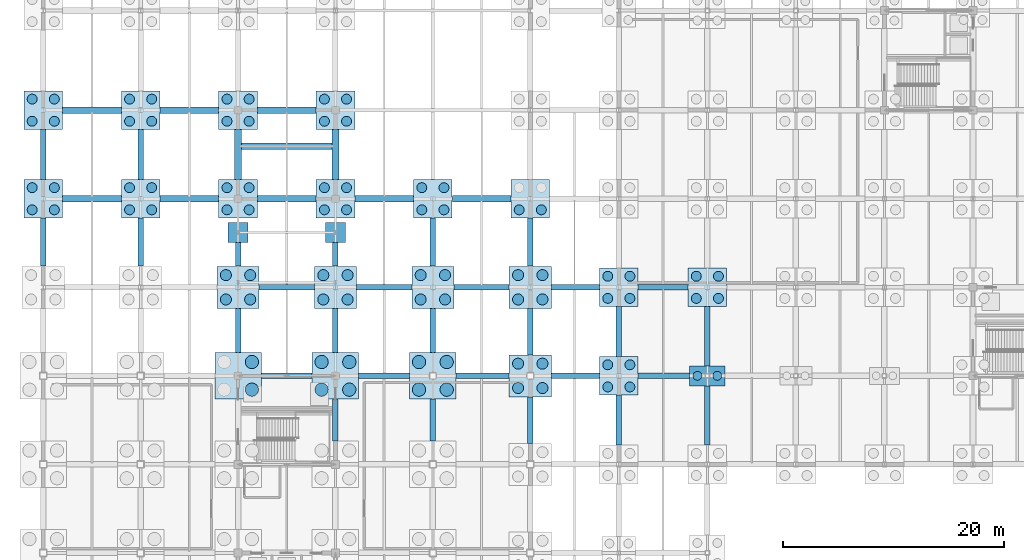
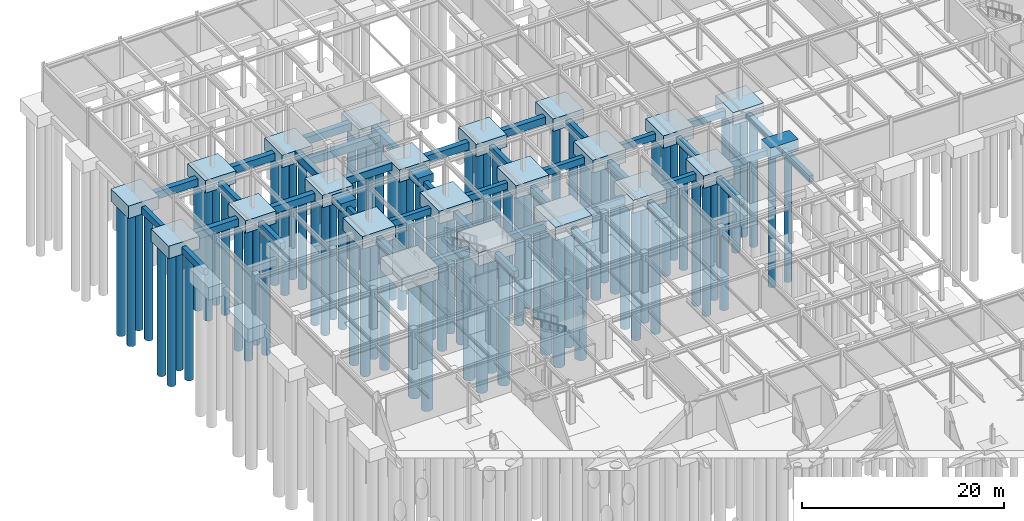
# One storey, part 6 of 72: 82 piles, 64 footings.
"""IFC4 building model written with IfcOpenShell, lengths in metres."""

from ifc_helpers import new_model, si_unit, direction, frame, origin, origin_2d, place, context, subcontext, project, spatial, rectangle, circle, extrude, material, material_profile, profile_set, type_object, element, save


model = new_model("IFC4")

# Units and contexts
model_context = context("Model", 3, precision=1e-05, world=origin(), true_north=direction((0.0, 1.0)))
body_context = subcontext(model_context, "Body", "Model", "MODEL_VIEW")
ifc_project = project(units=[si_unit("LENGTHUNIT", "METRE"), si_unit("AREAUNIT", "SQUARE_METRE"), si_unit("VOLUMEUNIT", "CUBIC_METRE"), si_unit("PLANEANGLEUNIT", "RADIAN"), si_unit("MASSUNIT", "GRAM", prefix="KILO")], contexts=[model_context])

# Site, building, storey
site_placement = place(None, origin())
site = spatial("IfcSite", under=ifc_project, at=site_placement, CompositionType="ELEMENT")
building_placement = place(site_placement, origin())
building = spatial("IfcBuilding", under=site, at=building_placement, Name="Zhaolan Boulevard Law Courts", CompositionType="ELEMENT")
storey_placement = place(building_placement, frame((0.0, 0.0, -4.800048828125)))
storey = spatial("IfcBuildingStorey", under=building, at=storey_placement, Name="B1", CompositionType="ELEMENT", Elevation=-4.800048828125)

# Piles
ifc_material_1 = material(Name="Concrete C40", Category="concrete")
ifc_material_profile_1 = material_profile(ifc_material_1, circle(Radius=0.5, at=origin_2d()), Name="PILE-D1000")
ifc_profile_set_1 = profile_set([ifc_material_profile_1], Name="Concrete C40")
pile_type_1 = type_object("IfcPileType", Name="BORED PILE D1000", PredefinedType="BORED", material=ifc_profile_set_1)
for number, where, z_axis, x_axis, name in (
    (1, (16.5, 76.89990234375, -1.449951171875), (0.0, 0.0, -1.0), (1.0, 0.0, 0.0), "Bored Pile P-3L-1"),
    (2, (18.699951171875, 76.89990234375, -1.449951171875), (0.0, 0.0, -1.0), (1.0, 0.0, 0.0), "Bored Pile P-3L-2"),
    (3, (16.5, 79.10009765625, -1.449951171875), (0.0, 0.0, -1.0), (1.0, 0.0, 0.0), "Bored Pile P-3L-3"),
    (4, (18.699951171875, 79.10009765625, -1.449951171875), (0.0, 0.0, -1.0), (1.0, 0.0, 0.0), "Bored Pile P-3L-4"),
    (5, (25.300048828125, 76.89990234375, -1.449951171875), (0.0, 0.0, -1.0), (1.0, 0.0, 0.0), "Bored Pile P-4L-1"),
    (6, (27.5, 76.89990234375, -1.449951171875), (0.0, 0.0, -1.0), (1.0, 0.0, 0.0), "Bored Pile P-4L-2"),
    (7, (25.300048828125, 79.10009765625, -1.449951171875), (0.0, 0.0, -1.0), (1.0, 0.0, 0.0), "Bored Pile P-4L-3"),
    (8, (27.5, 79.10009765625, -1.449951171875), (0.0, 0.0, -1.0), (1.0, 0.0, 0.0), "Bored Pile P-4L-4"),
    (9, (34.10009765625, 76.89990234375, -1.449951171875), (0.0, 0.0, -1.0), (1.0, 0.0, 0.0), "Bored Pile P-5L-1"),
    (10, (36.300048828125, 76.89990234375, -1.449951171875), (0.0, 0.0, -1.0), (1.0, 0.0, 0.0), "Bored Pile P-5L-2"),
    (11, (34.10009765625, 79.10009765625, -1.449951171875), (0.0, 0.0, -1.0), (1.0, 0.0, 0.0), "Bored Pile P-5L-3"),
    (12, (36.300048828125, 79.10009765625, -1.449951171875), (0.0, 0.0, -1.0), (1.0, 0.0, 0.0), "Bored Pile P-5L-4"),
    (13, (42.89990234375, 68.89990234375, -1.449951171875), (0.0, 0.0, -1.0), (1.0, 0.0, 0.0), "Bored Pile P-6K-1"),
    (14, (45.10009765625, 68.89990234375, -1.449951171875), (0.0, 0.0, -1.0), (1.0, 0.0, 0.0), "Bored Pile P-6K-2"),
    (15, (42.89990234375, 71.10009765625, -1.449951171875), (0.0, 0.0, -1.0), (1.0, 0.0, 0.0), "Bored Pile P-6K-3"),
    (16, (45.10009765625, 71.10009765625, -1.449951171875), (0.0, 0.0, -1.0), (1.0, 0.0, 0.0), "Bored Pile P-6K-4"),
    (17, (42.89990234375, 76.89990234375, -1.449951171875), (0.0, 0.0, -1.0), (1.0, 0.0, 0.0), "Bored Pile P-6L-1"),
    (18, (45.10009765625, 76.89990234375, -1.449951171875), (0.0, 0.0, -1.0), (1.0, 0.0, 0.0), "Bored Pile P-6L-2"),
    (19, (42.89990234375, 79.10009765625, -1.449951171875), (0.0, 0.0, -1.0), (1.0, 0.0, 0.0), "Bored Pile P-6L-3"),
    (20, (45.10009765625, 79.10009765625, -1.449951171875), (0.0, 0.0, -1.0), (1.0, 0.0, 0.0), "Bored Pile P-6L-4"),
):
    element("IfcPile", number, at=place(storey_placement, frame(where, z_axis=z_axis, x_axis=x_axis)), inside=storey, type_object=pile_type_1, Name=name, PredefinedType="BORED", context=body_context, shape_type="SweptSolid", body=[
        extrude(circle(Radius=0.5, at=origin_2d()), origin(), (0.0, 0.0, 1.0), 15.949951171875),
    ])
ifc_material_2 = material(Name="Concrete C40", Category="concrete")
ifc_material_profile_2 = material_profile(ifc_material_2, circle(Radius=0.60009765625, at=origin_2d()), Name="PILE-D1200")
ifc_profile_set_2 = profile_set([ifc_material_profile_2], Name="Concrete C40")
pile_type_2 = type_object("IfcPileType", Name="BORED PILE D1200", PredefinedType="BORED", material=ifc_profile_set_2)
for number, where, z_axis, x_axis, name in (
    (21, (18.85009765625, 68.75, -1.5), (0.0, 0.0, -1.0), (1.0, 0.0, 0.0), "Bored Pile P-3K-2"),
    (22, (18.85009765625, 71.25, -1.5), (0.0, 0.0, -1.0), (1.0, 0.0, 0.0), "Bored Pile P-3K-4"),
    (23, (25.14990234375, 68.75, -1.5), (0.0, 0.0, -1.0), (1.0, 0.0, 0.0), "Bored Pile P-4K-1"),
    (24, (27.64990234375, 68.75, -1.5), (0.0, 0.0, -1.0), (1.0, 0.0, 0.0), "Bored Pile P-4K-2"),
    (25, (25.14990234375, 71.25, -1.5), (0.0, 0.0, -1.0), (1.0, 0.0, 0.0), "Bored Pile P-4K-3"),
    (26, (27.64990234375, 71.25, -1.5), (0.0, 0.0, -1.0), (1.0, 0.0, 0.0), "Bored Pile P-4K-4"),
    (27, (33.949951171875, 68.75, -1.5), (0.0, 0.0, -1.0), (1.0, 0.0, 0.0), "Bored Pile P-5K-1"),
    (28, (36.449951171875, 68.75, -1.5), (0.0, 0.0, -1.0), (1.0, 0.0, 0.0), "Bored Pile P-5K-2"),
    (29, (33.949951171875, 71.25, -1.5), (0.0, 0.0, -1.0), (1.0, 0.0, 0.0), "Bored Pile P-5K-3"),
    (30, (36.449951171875, 71.25, -1.5), (0.0, 0.0, -1.0), (1.0, 0.0, 0.0), "Bored Pile P-5K-4"),
):
    element("IfcPile", number, at=place(storey_placement, frame(where, z_axis=z_axis, x_axis=x_axis)), inside=storey, type_object=pile_type_2, Name=name, PredefinedType="BORED", context=body_context, shape_type="SweptSolid", body=[
        extrude(circle(Radius=0.60009765625, at=origin_2d()), origin(), (0.0, 0.0, 1.0), 15.89990234375),
    ])
ifc_material_3 = material(Name="Concrete C40", Category="concrete")
ifc_material_profile_3 = material_profile(ifc_material_3, circle(Radius=0.39990234375, at=origin_2d()), Name="PILE-D800")
ifc_profile_set_3 = profile_set([ifc_material_profile_3], Name="Concrete C40")
pile_type_3 = type_object("IfcPileType", Name="BORED PILE D800", PredefinedType="BORED", material=ifc_profile_set_3)
for number, where, z_axis, x_axis, name in (
    (31, (59.10009765625, 70.0, -1.300048828125), (0.0, 0.0, -1.0), (1.0, 0.0, 0.0), "Bored Pile P-8K-1"),
    (32, (60.89990234375, 70.0, -1.300048828125), (0.0, 0.0, -1.0), (1.0, 0.0, 0.0), "Bored Pile P-8K-2"),
):
    element("IfcPile", number, at=place(storey_placement, frame(where, z_axis=z_axis, x_axis=x_axis)), inside=storey, type_object=pile_type_3, Name=name, PredefinedType="BORED", context=body_context, shape_type="SweptSolid", body=[
        extrude(circle(Radius=0.39990234375, at=origin_2d()), origin(), (0.0, 0.0, 1.0), 16.10009765625),
    ])
ifc_material_4 = material(Name="Concrete C40", Category="concrete")
ifc_material_profile_4 = material_profile(ifc_material_4, circle(Radius=0.449951171875, at=origin_2d()), Name="PILE-D900")
ifc_profile_set_4 = profile_set([ifc_material_profile_4], Name="Concrete C40")
pile_type_4 = type_object("IfcPileType", Name="BORED PILE D900", PredefinedType="BORED", material=ifc_profile_set_4)
for number, where, z_axis, x_axis, name in (
    (33, (-1.0, 85.0, -1.39990234375), (0.0, 0.0, -1.0), (1.0, 0.0, 0.0), "Bored Pile P-1M-1"),
    (34, (1.0, 85.0, -1.39990234375), (0.0, 0.0, -1.0), (1.0, 0.0, 0.0), "Bored Pile P-1M-2"),
    (35, (-1.0, 87.0, -1.39990234375), (0.0, 0.0, -1.0), (1.0, 0.0, 0.0), "Bored Pile P-1M-3"),
    (36, (1.0, 87.0, -1.39990234375), (0.0, 0.0, -1.0), (1.0, 0.0, 0.0), "Bored Pile P-1M-4"),
    (37, (-1.0, 93.0, -1.39990234375), (0.0, 0.0, -1.0), (1.0, 0.0, 0.0), "Bored Pile P-1N-1"),
    (38, (1.0, 93.0, -1.39990234375), (0.0, 0.0, -1.0), (1.0, 0.0, 0.0), "Bored Pile P-1N-2"),
    (39, (-1.0, 95.0, -1.39990234375), (0.0, 0.0, -1.0), (1.0, 0.0, 0.0), "Bored Pile P-1N-3"),
    (40, (1.0, 95.0, -1.39990234375), (0.0, 0.0, -1.0), (1.0, 0.0, 0.0), "Bored Pile P-1N-4"),
    (41, (7.800048828125, 85.0, -1.39990234375), (0.0, 0.0, -1.0), (1.0, 0.0, 0.0), "Bored Pile P-2M-1"),
    (42, (9.800048828125, 85.0, -1.39990234375), (0.0, 0.0, -1.0), (1.0, 0.0, 0.0), "Bored Pile P-2M-2"),
    (43, (7.800048828125, 87.0, -1.39990234375), (0.0, 0.0, -1.0), (1.0, 0.0, 0.0), "Bored Pile P-2M-3"),
    (44, (9.800048828125, 87.0, -1.39990234375), (0.0, 0.0, -1.0), (1.0, 0.0, 0.0), "Bored Pile P-2M-4"),
    (45, (7.800048828125, 93.0, -1.39990234375), (0.0, 0.0, -1.0), (1.0, 0.0, 0.0), "Bored Pile P-2N-1"),
    (46, (9.800048828125, 93.0, -1.39990234375), (0.0, 0.0, -1.0), (1.0, 0.0, 0.0), "Bored Pile P-2N-2"),
    (47, (7.800048828125, 95.0, -1.39990234375), (0.0, 0.0, -1.0), (1.0, 0.0, 0.0), "Bored Pile P-2N-3"),
    (48, (9.800048828125, 95.0, -1.39990234375), (0.0, 0.0, -1.0), (1.0, 0.0, 0.0), "Bored Pile P-2N-4"),
    (49, (16.60009765625, 85.0, -1.39990234375), (0.0, 0.0, -1.0), (1.0, 0.0, 0.0), "Bored Pile P-3M-1"),
    (50, (18.60009765625, 85.0, -1.39990234375), (0.0, 0.0, -1.0), (1.0, 0.0, 0.0), "Bored Pile P-3M-2"),
    (51, (16.60009765625, 87.0, -1.39990234375), (0.0, 0.0, -1.0), (1.0, 0.0, 0.0), "Bored Pile P-3M-3"),
    (52, (18.60009765625, 87.0, -1.39990234375), (0.0, 0.0, -1.0), (1.0, 0.0, 0.0), "Bored Pile P-3M-4"),
    (53, (16.60009765625, 93.0, -1.39990234375), (0.0, 0.0, -1.0), (1.0, 0.0, 0.0), "Bored Pile P-3N-1"),
    (54, (18.60009765625, 93.0, -1.39990234375), (0.0, 0.0, -1.0), (1.0, 0.0, 0.0), "Bored Pile P-3N-2"),
    (55, (16.60009765625, 95.0, -1.39990234375), (0.0, 0.0, -1.0), (1.0, 0.0, 0.0), "Bored Pile P-3N-3"),
    (56, (18.60009765625, 95.0, -1.39990234375), (0.0, 0.0, -1.0), (1.0, 0.0, 0.0), "Bored Pile P-3N-4"),
    (57, (25.39990234375, 85.0, -1.39990234375), (0.0, 0.0, -1.0), (1.0, 0.0, 0.0), "Bored Pile P-4M-1"),
    (58, (27.39990234375, 85.0, -1.39990234375), (0.0, 0.0, -1.0), (1.0, 0.0, 0.0), "Bored Pile P-4M-2"),
    (59, (25.39990234375, 87.0, -1.39990234375), (0.0, 0.0, -1.0), (1.0, 0.0, 0.0), "Bored Pile P-4M-3"),
    (60, (27.39990234375, 87.0, -1.39990234375), (0.0, 0.0, -1.0), (1.0, 0.0, 0.0), "Bored Pile P-4M-4"),
    (61, (25.39990234375, 93.0, -1.39990234375), (0.0, 0.0, -1.0), (1.0, 0.0, 0.0), "Bored Pile P-4N-1"),
    (62, (27.39990234375, 93.0, -1.39990234375), (0.0, 0.0, -1.0), (1.0, 0.0, 0.0), "Bored Pile P-4N-2"),
    (63, (25.39990234375, 95.0, -1.39990234375), (0.0, 0.0, -1.0), (1.0, 0.0, 0.0), "Bored Pile P-4N-3"),
    (64, (27.39990234375, 95.0, -1.39990234375), (0.0, 0.0, -1.0), (1.0, 0.0, 0.0), "Bored Pile P-4N-4"),
    (65, (34.199951171875, 85.0, -1.39990234375), (0.0, 0.0, -1.0), (1.0, 0.0, 0.0), "Bored Pile P-5M-1"),
    (66, (36.199951171875, 85.0, -1.39990234375), (0.0, 0.0, -1.0), (1.0, 0.0, 0.0), "Bored Pile P-5M-2"),
    (67, (34.199951171875, 87.0, -1.39990234375), (0.0, 0.0, -1.0), (1.0, 0.0, 0.0), "Bored Pile P-5M-3"),
    (68, (36.199951171875, 87.0, -1.39990234375), (0.0, 0.0, -1.0), (1.0, 0.0, 0.0), "Bored Pile P-5M-4"),
    (69, (43.0, 85.0, -1.39990234375), (0.0, 0.0, -1.0), (1.0, 0.0, 0.0), "Bored Pile P-6M-1"),
    (70, (45.0, 85.0, -1.39990234375), (0.0, 0.0, -1.0), (1.0, 0.0, 0.0), "Bored Pile P-6M-2"),
    (71, (51.0, 69.0, -1.39990234375), (0.0, 0.0, -1.0), (1.0, 0.0, 0.0), "Bored Pile P-7K-1"),
    (72, (53.0, 69.0, -1.39990234375), (0.0, 0.0, -1.0), (1.0, 0.0, 0.0), "Bored Pile P-7K-2"),
    (73, (51.0, 71.0, -1.39990234375), (0.0, 0.0, -1.0), (1.0, 0.0, 0.0), "Bored Pile P-7K-3"),
    (74, (53.0, 71.0, -1.39990234375), (0.0, 0.0, -1.0), (1.0, 0.0, 0.0), "Bored Pile P-7K-4"),
    (75, (51.0, 77.0, -1.39990234375), (0.0, 0.0, -1.0), (1.0, 0.0, 0.0), "Bored Pile P-7L-1"),
    (76, (53.0, 77.0, -1.39990234375), (0.0, 0.0, -1.0), (1.0, 0.0, 0.0), "Bored Pile P-7L-2"),
    (77, (51.0, 79.0, -1.39990234375), (0.0, 0.0, -1.0), (1.0, 0.0, 0.0), "Bored Pile P-7L-3"),
    (78, (53.0, 79.0, -1.39990234375), (0.0, 0.0, -1.0), (1.0, 0.0, 0.0), "Bored Pile P-7L-4"),
    (79, (59.0, 77.0, -1.39990234375), (0.0, 0.0, -1.0), (1.0, 0.0, 0.0), "Bored Pile P-8L-1"),
    (80, (61.0, 77.0, -1.39990234375), (0.0, 0.0, -1.0), (1.0, 0.0, 0.0), "Bored Pile P-8L-2"),
    (81, (59.0, 79.0, -1.39990234375), (0.0, 0.0, -1.0), (1.0, 0.0, 0.0), "Bored Pile P-8L-3"),
    (82, (61.0, 79.0, -1.39990234375), (0.0, 0.0, -1.0), (1.0, 0.0, 0.0), "Bored Pile P-8L-4"),
):
    element("IfcPile", number, at=place(storey_placement, frame(where, z_axis=z_axis, x_axis=x_axis)), inside=storey, type_object=pile_type_4, Name=name, PredefinedType="BORED", context=body_context, shape_type="SweptSolid", body=[
        extrude(circle(Radius=0.449951171875, at=origin_2d()), origin(), (0.0, 0.0, 1.0), 16.0),
    ])

# Footings
ifc_material_5 = material(Name="Concrete C40", Category="concrete")
footing_type_1 = type_object("IfcFootingType", Name="PAD FOOTING 1800X1800X1000", PredefinedType="PAD_FOOTING", material=ifc_material_5)
for number, where, z_axis, x_axis, name in (
    (83, (17.60009765625, 82.949951171875, -1.0), (0.0, 0.0, 1.0), (1.0, 0.0, 0.0), "Stairwell Corner Pad Footing PF-ST12-3"),
    (84, (26.39990234375, 82.949951171875, -1.0), (0.0, 0.0, 1.0), (1.0, 0.0, 0.0), "Stairwell Corner Pad Footing PF-ST12-4"),
):
    element("IfcFooting", number, at=place(storey_placement, frame(where, z_axis=z_axis, x_axis=x_axis)), inside=storey, type_object=footing_type_1, Name=name, PredefinedType="PAD_FOOTING", context=body_context, shape_type="SweptSolid", body=[
        extrude(rectangle(XDim=1.800048828125, YDim=1.800048828125, at=origin_2d()), origin(), (0.0, 0.0, 1.0), 1.0),
    ])
ifc_material_6 = material(Name="Concrete C40", Category="concrete")
footing_type_2 = type_object("IfcFootingType", Name="PILE CAP 3200X1800X1400", PredefinedType="PILE_CAP", material=ifc_material_6)
footing_1_placement = place(storey_placement, frame((60.0, 70.0, -1.39990234375), z_axis=(0.0, 0.0, 1.0), x_axis=(1.0, 0.0, 0.0)))
element("IfcFooting", 85, at=footing_1_placement, inside=storey, type_object=footing_type_2, Name="Pile Cap PC-8K", PredefinedType="PILE_CAP", context=body_context, shape_type="SweptSolid", body=[
    extrude(rectangle(XDim=3.199951171875, YDim=1.800048828125, at=origin_2d()), origin(), (0.0, 0.0, 1.0), 1.39990234375),
])
ifc_material_7 = material(Name="Concrete C40", Category="concrete")
footing_type_3 = type_object("IfcFootingType", Name="PILE CAP 3500X3500X1500", PredefinedType="PILE_CAP", material=ifc_material_7)
for number, where, z_axis, x_axis, name in (
    (86, (0.0, 86.0, -1.5), (0.0, 0.0, 1.0), (1.0, 0.0, 0.0), "Pile Cap PC-1M"),
    (87, (0.0, 94.0, -1.5), (0.0, 0.0, 1.0), (1.0, 0.0, 0.0), "Pile Cap PC-1N"),
    (88, (8.800048828125, 86.0, -1.5), (0.0, 0.0, 1.0), (1.0, 0.0, 0.0), "Pile Cap PC-2M"),
    (89, (8.800048828125, 94.0, -1.5), (0.0, 0.0, 1.0), (1.0, 0.0, 0.0), "Pile Cap PC-2N"),
    (90, (17.60009765625, 86.0, -1.5), (0.0, 0.0, 1.0), (1.0, 0.0, 0.0), "Pile Cap PC-3M"),
    (91, (17.60009765625, 94.0, -1.5), (0.0, 0.0, 1.0), (1.0, 0.0, 0.0), "Pile Cap PC-3N"),
    (92, (26.39990234375, 86.0, -1.5), (0.0, 0.0, 1.0), (1.0, 0.0, 0.0), "Pile Cap PC-4M"),
    (93, (26.39990234375, 94.0, -1.5), (0.0, 0.0, 1.0), (1.0, 0.0, 0.0), "Pile Cap PC-4N"),
    (94, (35.199951171875, 86.0, -1.5), (0.0, 0.0, 1.0), (1.0, 0.0, 0.0), "Pile Cap PC-5M"),
    (95, (44.0, 86.0, -1.5), (0.0, 0.0, 1.0), (1.0, 0.0, 0.0), "Pile Cap PC-6M"),
    (96, (52.0, 70.0, -1.5), (0.0, 0.0, 1.0), (1.0, 0.0, 0.0), "Pile Cap PC-7K"),
    (97, (52.0, 78.0, -1.5), (0.0, 0.0, 1.0), (1.0, 0.0, 0.0), "Pile Cap PC-7L"),
    (98, (60.0, 78.0, -1.5), (0.0, 0.0, 1.0), (1.0, 0.0, 0.0), "Pile Cap PC-8L"),
):
    element("IfcFooting", number, at=place(storey_placement, frame(where, z_axis=z_axis, x_axis=x_axis)), inside=storey, type_object=footing_type_3, Name=name, PredefinedType="PILE_CAP", context=body_context, shape_type="SweptSolid", body=[
        extrude(rectangle(XDim=3.5, YDim=3.5, at=origin_2d()), origin(), (0.0, 0.0, 1.0), 1.5),
    ])
ifc_material_8 = material(Name="Concrete C40", Category="concrete")
footing_type_4 = type_object("IfcFootingType", Name="PILE CAP 3800X3800X1550", PredefinedType="PILE_CAP", material=ifc_material_8)
for number, where, z_axis, x_axis, name in (
    (99, (17.60009765625, 78.0, -1.5498046875), (0.0, 0.0, 1.0), (1.0, 0.0, 0.0), "Pile Cap PC-3L"),
    (100, (26.39990234375, 78.0, -1.5498046875), (0.0, 0.0, 1.0), (1.0, 0.0, 0.0), "Pile Cap PC-4L"),
    (101, (35.199951171875, 78.0, -1.5498046875), (0.0, 0.0, 1.0), (1.0, 0.0, 0.0), "Pile Cap PC-5L"),
    (102, (44.0, 70.0, -1.5498046875), (0.0, 0.0, 1.0), (1.0, 0.0, 0.0), "Pile Cap PC-6K"),
    (103, (44.0, 78.0, -1.5498046875), (0.0, 0.0, 1.0), (1.0, 0.0, 0.0), "Pile Cap PC-6L"),
):
    element("IfcFooting", number, at=place(storey_placement, frame(where, z_axis=z_axis, x_axis=x_axis)), inside=storey, type_object=footing_type_4, Name=name, PredefinedType="PILE_CAP", context=body_context, shape_type="SweptSolid", body=[
        extrude(rectangle(XDim=3.800048828125, YDim=3.800048828125, at=origin_2d()), origin(), (0.0, 0.0, 1.0), 1.550048828125),
    ])
ifc_material_9 = material(Name="Concrete C40", Category="concrete")
footing_type_5 = type_object("IfcFootingType", Name="PILE CAP 4200X4200X1600", PredefinedType="PILE_CAP", material=ifc_material_9)
for number, where, z_axis, x_axis, name in (
    (104, (17.60009765625, 70.0, -1.60009765625), (0.0, 0.0, 1.0), (1.0, 0.0, 0.0), "Pile Cap PC-3K"),
    (105, (26.39990234375, 70.0, -1.60009765625), (0.0, 0.0, 1.0), (1.0, 0.0, 0.0), "Pile Cap PC-4K"),
    (106, (35.199951171875, 70.0, -1.60009765625), (0.0, 0.0, 1.0), (1.0, 0.0, 0.0), "Pile Cap PC-5K"),
):
    element("IfcFooting", number, at=place(storey_placement, frame(where, z_axis=z_axis, x_axis=x_axis)), inside=storey, type_object=footing_type_5, Name=name, PredefinedType="PILE_CAP", context=body_context, shape_type="SweptSolid", body=[
        extrude(rectangle(XDim=4.199951171875, YDim=4.199951171875, at=origin_2d()), origin(), (0.0, 0.0, 1.0), 1.60009765625),
    ])
ifc_material_10 = material(Name="Concrete C40", Category="concrete")
ifc_material_profile_5 = material_profile(ifc_material_10, rectangle(XDim=0.60009765625, YDim=0.89990234375, at=origin_2d()), Name="RC600x900")
ifc_profile_set_5 = profile_set([ifc_material_profile_5], Name="Concrete C40")
footing_type_6 = type_object("IfcFootingType", Name="STRIP FOOTING 600X900", PredefinedType="STRIP_FOOTING", material=ifc_profile_set_5)
for number, where, z_axis, x_axis, name in (
    (107, (19.35205078125, 86.0, -0.449951171875), (1.0, 0.0, 0.0), (0.0, 1.0, 0.0), "Core Foundation Tie Beam GB-L1-S"),
    (108, (19.35205078125, 94.0, -0.449951171875), (1.0, 0.0, 0.0), (0.0, 1.0, 0.0), "Core Foundation Tie Beam GB-L1-N"),
):
    element("IfcFooting", number, at=place(storey_placement, frame(where, z_axis=z_axis, x_axis=x_axis)), inside=storey, type_object=footing_type_6, Name=name, PredefinedType="STRIP_FOOTING", context=body_context, shape_type="SweptSolid", body=[
        extrude(rectangle(XDim=0.60009765625, YDim=0.89990234375, at=origin_2d()), origin(), (0.0, 0.0, 1.0), 5.2958984375),
    ])
for number, where, z_axis, x_axis, name in (
    (109, (17.60009765625, 87.751953125, -0.449951171875), (0.0, 1.0, 0.0), (-1.0, 0.0, 0.0), "Core Foundation Tie Beam GB-L1-W"),
    (110, (26.39990234375, 87.751953125, -0.449951171875), (0.0, 1.0, 0.0), (-1.0, 0.0, 0.0), "Core Foundation Tie Beam GB-L1-E"),
):
    element("IfcFooting", number, at=place(storey_placement, frame(where, z_axis=z_axis, x_axis=x_axis)), inside=storey, type_object=footing_type_6, Name=name, PredefinedType="STRIP_FOOTING", context=body_context, shape_type="SweptSolid", body=[
        extrude(rectangle(XDim=0.60009765625, YDim=0.89990234375, at=origin_2d()), origin(), (0.0, 0.0, 1.0), 4.49609375),
    ])
footing_2_placement = place(storey_placement, frame((17.902099609375, 90.75, -0.449951171875), z_axis=(1.0, 0.0, 0.0), x_axis=(0.0, 1.0, 0.0)))
element("IfcFooting", 111, at=footing_2_placement, inside=storey, type_object=footing_type_6, Name="Stair Divider Strip Footing SF-ST10-DN", PredefinedType="STRIP_FOOTING", context=body_context, shape_type="SweptSolid", body=[
    extrude(rectangle(XDim=0.60009765625, YDim=0.89990234375, at=origin_2d()), origin(), (0.0, 0.0, 1.0), 8.19580078125),
])
ifc_material_11 = material(Name="Concrete C40", Category="concrete")
ifc_material_profile_6 = material_profile(ifc_material_11, rectangle(XDim=0.5, YDim=0.800048828125, at=origin_2d()), Name="RC500x800")
ifc_profile_set_6 = profile_set([ifc_material_profile_6], Name="Concrete C40")
footing_type_7 = type_object("IfcFootingType", Name="TIE BEAM 500X800", PredefinedType="FOOTING_BEAM", material=ifc_profile_set_6)
footing_3_placement = place(storey_placement, frame((19.701904296875, 70.0, -1.0), z_axis=(1.0, 0.0, 0.0), x_axis=(0.0, 1.0, 0.0)))
element("IfcFooting", 112, at=footing_3_placement, inside=storey, type_object=footing_type_7, Name="Foundation Tie Beam TBX-3-4-K", PredefinedType="FOOTING_BEAM", context=body_context, shape_type="SweptSolid", body=[
    extrude(rectangle(XDim=0.5, YDim=0.800048828125, at=origin_2d()), origin(), (0.0, 0.0, 1.0), 4.59619140625),
])
footing_4_placement = place(storey_placement, frame((19.501953125, 78.0, -1.0), z_axis=(1.0, 0.0, 0.0), x_axis=(0.0, 1.0, 0.0)))
element("IfcFooting", 113, at=footing_4_placement, inside=storey, type_object=footing_type_7, Name="Foundation Tie Beam TBX-3-4-L", PredefinedType="FOOTING_BEAM", context=body_context, shape_type="SweptSolid", body=[
    extrude(rectangle(XDim=0.5, YDim=0.800048828125, at=origin_2d()), origin(), (0.0, 0.0, 1.0), 4.99609375),
])
footing_5_placement = place(storey_placement, frame((28.501953125, 70.0, -1.0), z_axis=(1.0, 0.0, 0.0), x_axis=(0.0, 1.0, 0.0)))
element("IfcFooting", 114, at=footing_5_placement, inside=storey, type_object=footing_type_7, Name="Foundation Tie Beam TBX-4-5-K", PredefinedType="FOOTING_BEAM", context=body_context, shape_type="SweptSolid", body=[
    extrude(rectangle(XDim=0.5, YDim=0.800048828125, at=origin_2d()), origin(), (0.0, 0.0, 1.0), 4.595947265625),
])
footing_6_placement = place(storey_placement, frame((28.302001953125, 78.0, -1.0), z_axis=(1.0, 0.0, 0.0), x_axis=(0.0, 1.0, 0.0)))
element("IfcFooting", 115, at=footing_6_placement, inside=storey, type_object=footing_type_7, Name="Foundation Tie Beam TBX-4-5-L", PredefinedType="FOOTING_BEAM", context=body_context, shape_type="SweptSolid", body=[
    extrude(rectangle(XDim=0.5, YDim=0.800048828125, at=origin_2d()), origin(), (0.0, 0.0, 1.0), 4.99609375),
])
footing_7_placement = place(storey_placement, frame((37.302001953125, 70.0, -1.0), z_axis=(1.0, 0.0, 0.0), x_axis=(0.0, 1.0, 0.0)))
element("IfcFooting", 116, at=footing_7_placement, inside=storey, type_object=footing_type_7, Name="Foundation Tie Beam TBX-5-6-K", PredefinedType="FOOTING_BEAM", context=body_context, shape_type="SweptSolid", body=[
    extrude(rectangle(XDim=0.5, YDim=0.800048828125, at=origin_2d()), origin(), (0.0, 0.0, 1.0), 4.7958984375),
])
footing_8_placement = place(storey_placement, frame((37.10205078125, 78.0, -1.0), z_axis=(1.0, 0.0, 0.0), x_axis=(0.0, 1.0, 0.0)))
element("IfcFooting", 117, at=footing_8_placement, inside=storey, type_object=footing_type_7, Name="Foundation Tie Beam TBX-5-6-L", PredefinedType="FOOTING_BEAM", context=body_context, shape_type="SweptSolid", body=[
    extrude(rectangle(XDim=0.5, YDim=0.800048828125, at=origin_2d()), origin(), (0.0, 0.0, 1.0), 4.995849609375),
])
for number, where, z_axis, x_axis, name in (
    (118, (45.902099609375, 70.0, -1.0), (1.0, 0.0, 0.0), (0.0, 1.0, 0.0), "Foundation Tie Beam TBX-6-7-K"),
    (119, (45.902099609375, 78.0, -1.0), (1.0, 0.0, 0.0), (0.0, 1.0, 0.0), "Foundation Tie Beam TBX-6-7-L"),
):
    element("IfcFooting", number, at=place(storey_placement, frame(where, z_axis=z_axis, x_axis=x_axis)), inside=storey, type_object=footing_type_7, Name=name, PredefinedType="FOOTING_BEAM", context=body_context, shape_type="SweptSolid", body=[
        extrude(rectangle(XDim=0.5, YDim=0.800048828125, at=origin_2d()), origin(), (0.0, 0.0, 1.0), 4.345947265625),
    ])
footing_9_placement = place(storey_placement, frame((53.751953125, 70.0, -1.0), z_axis=(1.0, 0.0, 0.0), x_axis=(0.0, 1.0, 0.0)))
element("IfcFooting", 120, at=footing_9_placement, inside=storey, type_object=footing_type_7, Name="Foundation Tie Beam TBX-7-8-K", PredefinedType="FOOTING_BEAM", context=body_context, shape_type="SweptSolid", body=[
    extrude(rectangle(XDim=0.5, YDim=0.800048828125, at=origin_2d()), origin(), (0.0, 0.0, 1.0), 4.64599609375),
])
footing_10_placement = place(storey_placement, frame((53.751953125, 78.0, -1.0), z_axis=(1.0, 0.0, 0.0), x_axis=(0.0, 1.0, 0.0)))
element("IfcFooting", 121, at=footing_10_placement, inside=storey, type_object=footing_type_7, Name="Foundation Tie Beam TBX-7-8-L", PredefinedType="FOOTING_BEAM", context=body_context, shape_type="SweptSolid", body=[
    extrude(rectangle(XDim=0.5, YDim=0.800048828125, at=origin_2d()), origin(), (0.0, 0.0, 1.0), 4.49609375),
])
footing_11_placement = place(storey_placement, frame((0.0, 79.902099609375, -1.0), z_axis=(0.0, 1.0, 0.0), x_axis=(-1.0, 0.0, 0.0)))
element("IfcFooting", 122, at=footing_11_placement, inside=storey, type_object=footing_type_7, Name="Foundation Tie Beam TBY-1-L-M", PredefinedType="FOOTING_BEAM", context=body_context, shape_type="SweptSolid", body=[
    extrude(rectangle(XDim=0.5, YDim=0.800048828125, at=origin_2d()), origin(), (0.0, 0.0, 1.0), 4.345947265625),
])
footing_12_placement = place(storey_placement, frame((0.0, 87.751953125, -1.0), z_axis=(0.0, 1.0, 0.0), x_axis=(-1.0, 0.0, 0.0)))
element("IfcFooting", 123, at=footing_12_placement, inside=storey, type_object=footing_type_7, Name="Foundation Tie Beam TBY-1-M-N", PredefinedType="FOOTING_BEAM", context=body_context, shape_type="SweptSolid", body=[
    extrude(rectangle(XDim=0.5, YDim=0.800048828125, at=origin_2d()), origin(), (0.0, 0.0, 1.0), 4.49609375),
])
footing_13_placement = place(storey_placement, frame((8.800048828125, 79.902099609375, -1.0), z_axis=(0.0, 1.0, 0.0), x_axis=(-1.0, 0.0, 0.0)))
element("IfcFooting", 124, at=footing_13_placement, inside=storey, type_object=footing_type_7, Name="Foundation Tie Beam TBY-2-L-M", PredefinedType="FOOTING_BEAM", context=body_context, shape_type="SweptSolid", body=[
    extrude(rectangle(XDim=0.5, YDim=0.800048828125, at=origin_2d()), origin(), (0.0, 0.0, 1.0), 4.345947265625),
])
footing_14_placement = place(storey_placement, frame((8.800048828125, 87.751953125, -1.0), z_axis=(0.0, 1.0, 0.0), x_axis=(-1.0, 0.0, 0.0)))
element("IfcFooting", 125, at=footing_14_placement, inside=storey, type_object=footing_type_7, Name="Foundation Tie Beam TBY-2-M-N", PredefinedType="FOOTING_BEAM", context=body_context, shape_type="SweptSolid", body=[
    extrude(rectangle(XDim=0.5, YDim=0.800048828125, at=origin_2d()), origin(), (0.0, 0.0, 1.0), 4.49609375),
])
footing_15_placement = place(storey_placement, frame((17.60009765625, 72.10205078125, -1.0), z_axis=(0.0, 1.0, 0.0), x_axis=(-1.0, 0.0, 0.0)))
element("IfcFooting", 126, at=footing_15_placement, inside=storey, type_object=footing_type_7, Name="Foundation Tie Beam TBY-3-K-L", PredefinedType="FOOTING_BEAM", context=body_context, shape_type="SweptSolid", body=[
    extrude(rectangle(XDim=0.5, YDim=0.800048828125, at=origin_2d()), origin(), (0.0, 0.0, 1.0), 3.995849609375),
])
footing_16_placement = place(storey_placement, frame((17.60009765625, 79.902099609375, -1.0), z_axis=(0.0, 1.0, 0.0), x_axis=(-1.0, 0.0, 0.0)))
element("IfcFooting", 127, at=footing_16_placement, inside=storey, type_object=footing_type_7, Name="Foundation Tie Beam TBY-3-L-M", PredefinedType="FOOTING_BEAM", context=body_context, shape_type="SweptSolid", body=[
    extrude(rectangle(XDim=0.5, YDim=0.800048828125, at=origin_2d()), origin(), (0.0, 0.0, 1.0), 2.14599609375),
])
footing_17_placement = place(storey_placement, frame((26.39990234375, 64.10205078125, -1.0), z_axis=(0.0, 1.0, 0.0), x_axis=(-1.0, 0.0, 0.0)))
element("IfcFooting", 128, at=footing_17_placement, inside=storey, type_object=footing_type_7, Name="Foundation Tie Beam TBY-4-J-K", PredefinedType="FOOTING_BEAM", context=body_context, shape_type="SweptSolid", body=[
    extrude(rectangle(XDim=0.5, YDim=0.800048828125, at=origin_2d()), origin(), (0.0, 0.0, 1.0), 3.7958984375),
])
footing_18_placement = place(storey_placement, frame((26.39990234375, 72.10205078125, -1.0), z_axis=(0.0, 1.0, 0.0), x_axis=(-1.0, 0.0, 0.0)))
element("IfcFooting", 129, at=footing_18_placement, inside=storey, type_object=footing_type_7, Name="Foundation Tie Beam TBY-4-K-L", PredefinedType="FOOTING_BEAM", context=body_context, shape_type="SweptSolid", body=[
    extrude(rectangle(XDim=0.5, YDim=0.800048828125, at=origin_2d()), origin(), (0.0, 0.0, 1.0), 3.995849609375),
])
footing_19_placement = place(storey_placement, frame((26.39990234375, 79.902099609375, -1.0), z_axis=(0.0, 1.0, 0.0), x_axis=(-1.0, 0.0, 0.0)))
element("IfcFooting", 130, at=footing_19_placement, inside=storey, type_object=footing_type_7, Name="Foundation Tie Beam TBY-4-L-M", PredefinedType="FOOTING_BEAM", context=body_context, shape_type="SweptSolid", body=[
    extrude(rectangle(XDim=0.5, YDim=0.800048828125, at=origin_2d()), origin(), (0.0, 0.0, 1.0), 2.14599609375),
])
footing_20_placement = place(storey_placement, frame((35.199951171875, 64.10205078125, -1.0), z_axis=(0.0, 1.0, 0.0), x_axis=(-1.0, 0.0, 0.0)))
element("IfcFooting", 131, at=footing_20_placement, inside=storey, type_object=footing_type_7, Name="Foundation Tie Beam TBY-5-J-K", PredefinedType="FOOTING_BEAM", context=body_context, shape_type="SweptSolid", body=[
    extrude(rectangle(XDim=0.5, YDim=0.800048828125, at=origin_2d()), origin(), (0.0, 0.0, 1.0), 3.7958984375),
])
footing_21_placement = place(storey_placement, frame((35.199951171875, 72.10205078125, -1.0), z_axis=(0.0, 1.0, 0.0), x_axis=(-1.0, 0.0, 0.0)))
element("IfcFooting", 132, at=footing_21_placement, inside=storey, type_object=footing_type_7, Name="Foundation Tie Beam TBY-5-K-L", PredefinedType="FOOTING_BEAM", context=body_context, shape_type="SweptSolid", body=[
    extrude(rectangle(XDim=0.5, YDim=0.800048828125, at=origin_2d()), origin(), (0.0, 0.0, 1.0), 3.995849609375),
])
footing_22_placement = place(storey_placement, frame((35.199951171875, 79.902099609375, -1.0), z_axis=(0.0, 1.0, 0.0), x_axis=(-1.0, 0.0, 0.0)))
element("IfcFooting", 133, at=footing_22_placement, inside=storey, type_object=footing_type_7, Name="Foundation Tie Beam TBY-5-L-M", PredefinedType="FOOTING_BEAM", context=body_context, shape_type="SweptSolid", body=[
    extrude(rectangle(XDim=0.5, YDim=0.800048828125, at=origin_2d()), origin(), (0.0, 0.0, 1.0), 4.345947265625),
])
for number, where, z_axis, x_axis, name in (
    (134, (44.0, 63.902099609375, -1.0), (0.0, 1.0, 0.0), (-1.0, 0.0, 0.0), "Foundation Tie Beam TBY-6-J-K"),
    (135, (44.0, 71.902099609375, -1.0), (0.0, 1.0, 0.0), (-1.0, 0.0, 0.0), "Foundation Tie Beam TBY-6-K-L"),
):
    element("IfcFooting", number, at=place(storey_placement, frame(where, z_axis=z_axis, x_axis=x_axis)), inside=storey, type_object=footing_type_7, Name=name, PredefinedType="FOOTING_BEAM", context=body_context, shape_type="SweptSolid", body=[
        extrude(rectangle(XDim=0.5, YDim=0.800048828125, at=origin_2d()), origin(), (0.0, 0.0, 1.0), 4.19580078125),
    ])
footing_23_placement = place(storey_placement, frame((44.0, 79.902099609375, -1.0), z_axis=(0.0, 1.0, 0.0), x_axis=(-1.0, 0.0, 0.0)))
element("IfcFooting", 136, at=footing_23_placement, inside=storey, type_object=footing_type_7, Name="Foundation Tie Beam TBY-6-L-M", PredefinedType="FOOTING_BEAM", context=body_context, shape_type="SweptSolid", body=[
    extrude(rectangle(XDim=0.5, YDim=0.800048828125, at=origin_2d()), origin(), (0.0, 0.0, 1.0), 4.345947265625),
])
for number, where, z_axis, x_axis, name in (
    (137, (52.0, 63.751953125, -1.0), (0.0, 1.0, 0.0), (-1.0, 0.0, 0.0), "Foundation Tie Beam TBY-7-J-K"),
    (138, (52.0, 71.751953125, -1.0), (0.0, 1.0, 0.0), (-1.0, 0.0, 0.0), "Foundation Tie Beam TBY-7-K-L"),
):
    element("IfcFooting", number, at=place(storey_placement, frame(where, z_axis=z_axis, x_axis=x_axis)), inside=storey, type_object=footing_type_7, Name=name, PredefinedType="FOOTING_BEAM", context=body_context, shape_type="SweptSolid", body=[
        extrude(rectangle(XDim=0.5, YDim=0.800048828125, at=origin_2d()), origin(), (0.0, 0.0, 1.0), 4.49609375),
    ])
for number, where, z_axis, x_axis, name in (
    (139, (60.0, 63.751953125, -1.0), (0.0, 1.0, 0.0), (-1.0, 0.0, 0.0), "Foundation Tie Beam TBY-8-J-K"),
    (140, (60.0, 70.902099609375, -1.0), (0.0, 1.0, 0.0), (-1.0, 0.0, 0.0), "Foundation Tie Beam TBY-8-K-L"),
):
    element("IfcFooting", number, at=place(storey_placement, frame(where, z_axis=z_axis, x_axis=x_axis)), inside=storey, type_object=footing_type_7, Name=name, PredefinedType="FOOTING_BEAM", context=body_context, shape_type="SweptSolid", body=[
        extrude(rectangle(XDim=0.5, YDim=0.800048828125, at=origin_2d()), origin(), (0.0, 0.0, 1.0), 5.345947265625),
    ])
ifc_material_12 = material(Name="Concrete C40", Category="concrete")
ifc_material_profile_7 = material_profile(ifc_material_12, rectangle(XDim=0.60009765625, YDim=0.89990234375, at=origin_2d()), Name="RC600x900")
ifc_profile_set_7 = profile_set([ifc_material_profile_7], Name="Concrete C40")
footing_type_8 = type_object("IfcFootingType", Name="TIE BEAM 600X900", PredefinedType="FOOTING_BEAM", material=ifc_profile_set_7)
for number, where, z_axis, x_axis, name in (
    (141, (1.751953125, 86.0, -1.050048828125), (1.0, 0.0, 0.0), (0.0, 1.0, 0.0), "Foundation Tie Beam TBX-1-2-M"),
    (142, (1.751953125, 94.0, -1.050048828125), (1.0, 0.0, 0.0), (0.0, 1.0, 0.0), "Foundation Tie Beam TBX-1-2-N"),
):
    element("IfcFooting", number, at=place(storey_placement, frame(where, z_axis=z_axis, x_axis=x_axis)), inside=storey, type_object=footing_type_8, Name=name, PredefinedType="FOOTING_BEAM", context=body_context, shape_type="SweptSolid", body=[
        extrude(rectangle(XDim=0.60009765625, YDim=0.89990234375, at=origin_2d()), origin(), (0.0, 0.0, 1.0), 5.296142578125),
    ])
for number, where, z_axis, x_axis, name in (
    (143, (10.552001953125, 86.0, -1.050048828125), (1.0, 0.0, 0.0), (0.0, 1.0, 0.0), "Foundation Tie Beam TBX-2-3-M"),
    (144, (10.552001953125, 94.0, -1.050048828125), (1.0, 0.0, 0.0), (0.0, 1.0, 0.0), "Foundation Tie Beam TBX-2-3-N"),
    (145, (28.152099609375, 86.0, -1.050048828125), (1.0, 0.0, 0.0), (0.0, 1.0, 0.0), "Foundation Tie Beam TBX-4-5-M"),
):
    element("IfcFooting", number, at=place(storey_placement, frame(where, z_axis=z_axis, x_axis=x_axis)), inside=storey, type_object=footing_type_8, Name=name, PredefinedType="FOOTING_BEAM", context=body_context, shape_type="SweptSolid", body=[
        extrude(rectangle(XDim=0.60009765625, YDim=0.89990234375, at=origin_2d()), origin(), (0.0, 0.0, 1.0), 5.2958984375),
    ])
footing_24_placement = place(storey_placement, frame((36.951904296875, 86.0, -1.050048828125), z_axis=(1.0, 0.0, 0.0), x_axis=(0.0, 1.0, 0.0)))
element("IfcFooting", 146, at=footing_24_placement, inside=storey, type_object=footing_type_8, Name="Foundation Tie Beam TBX-5-6-M", PredefinedType="FOOTING_BEAM", context=body_context, shape_type="SweptSolid", body=[
    extrude(rectangle(XDim=0.60009765625, YDim=0.89990234375, at=origin_2d()), origin(), (0.0, 0.0, 1.0), 5.296142578125),
])

save(model, "model.ifc")
